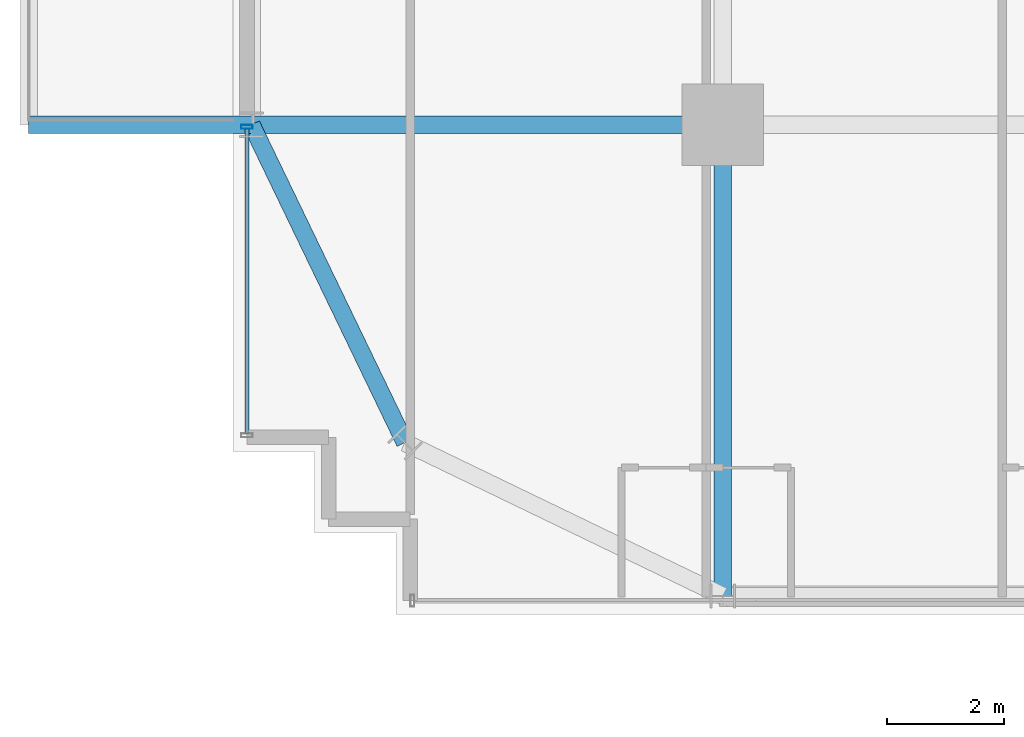
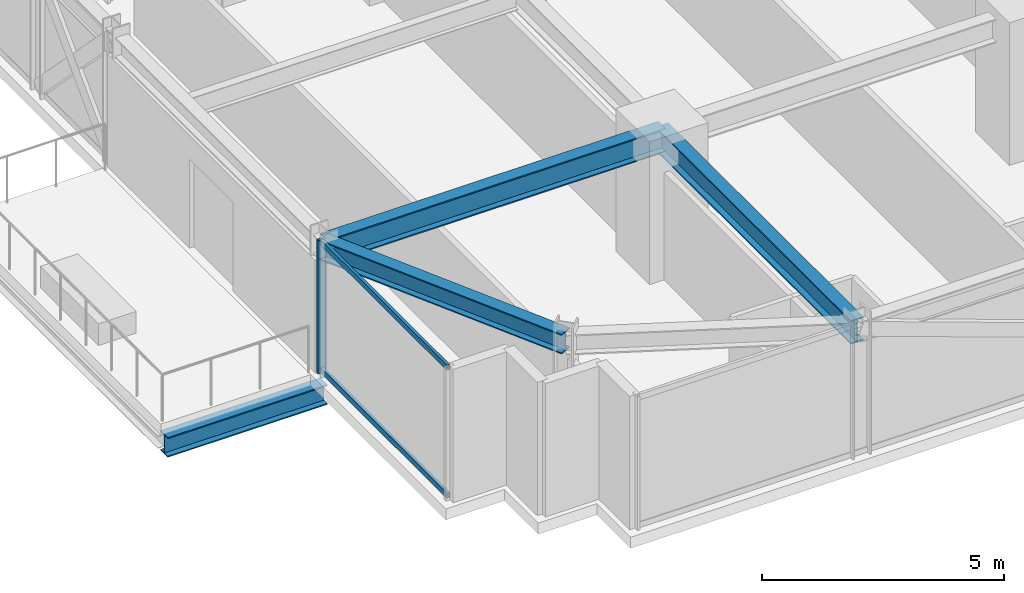
# One storey, part 4 of 38: 4 beams, 3 members, 1 element without a shape of its own.
"""IFC4 building model written with IfcOpenShell, lengths in metres."""

from ifc_helpers import new_model, si_unit, direction, frame, origin, origin_2d, place, context, subcontext, project, spatial, hollow_rectangle, i_section, extrude, source, transform, mapped, material, material_profile, profile_set, type_object, element, aggregate, save


model = new_model("IFC4")

# Units and contexts
model_context = context("Model", 3, precision=1e-05, world=origin(), true_north=direction((0.0, 1.0)))
body_context = subcontext(model_context, "Body", "Model", "MODEL_VIEW")
ifc_project = project(units=[si_unit("LENGTHUNIT", "METRE"), si_unit("AREAUNIT", "SQUARE_METRE"), si_unit("VOLUMEUNIT", "CUBIC_METRE"), si_unit("PLANEANGLEUNIT", "RADIAN"), si_unit("MASSUNIT", "GRAM", prefix="KILO")], contexts=[model_context])

# Site, building, storey
site_placement = place(None, origin())
site = spatial("IfcSite", under=ifc_project, at=site_placement, CompositionType="ELEMENT")
building_placement = place(site_placement, origin())
building = spatial("IfcBuilding", under=site, at=building_placement, Name="Nahalor Promenade Grand Hotel", CompositionType="ELEMENT")
storey_placement = place(building_placement, frame((0.0, 0.0, 50.64990234375)))
storey = spatial("IfcBuildingStorey", under=building, at=storey_placement, Name="L11", CompositionType="ELEMENT", Elevation=50.64990234375)

# Beams
ifc_material_1 = material(Name="Steel S355JR", Category="steel")
ifc_material_profile_1 = material_profile(ifc_material_1, i_section(OverallWidth=0.3, OverallDepth=0.5, WebThickness=0.0145, FlangeThickness=0.028, at=origin_2d()), Name="HEB 500")
ifc_profile_set_1 = profile_set([ifc_material_profile_1], Name="Steel S355JR")
beam_type_1 = type_object("IfcBeamType", Name="Beam-Outrigger-HEB500", PredefinedType="BEAM", material=ifc_profile_set_1)
shared_shape_1 = source(origin(), body_context, "Body", "SweptSolid", [
    extrude(i_section(OverallWidth=0.3, OverallDepth=0.5, WebThickness=0.0145, FlangeThickness=0.028, at=origin_2d()), origin(), (0.0, 0.0, 1.0), 3.81982421875),
])
beam_1_placement = place(storey_placement, frame((-28.89990234375, -17.0, -0.52978515625), z_axis=(1.0, 0.0, 0.0), x_axis=(0.0, 1.0, 0.0)))
element("IfcBeam", 1, at=beam_1_placement, inside=storey, type_object=beam_type_1, Name="BM-L11-BC-02-1", PredefinedType="BEAM", context=body_context, shape_type="MappedRepresentation", body=[
    mapped(shared_shape_1, transform((0.0, 0.0, 0.0), scale=1.0)),
])
ifc_material_profile_2 = material_profile(ifc_material_1, i_section(OverallWidth=0.3, OverallDepth=0.6, WebThickness=0.0155, FlangeThickness=0.03, at=origin_2d()), Name="HEB 600")
ifc_profile_set_2 = profile_set([ifc_material_profile_2], Name="Steel S355JR")
beam_type_2 = type_object("IfcBeamType", Name="Beam-Girder-HEB600", PredefinedType="BEAM", material=ifc_profile_set_2)
shared_shape_2 = source(origin(), body_context, "Body", "SweptSolid", [
    extrude(i_section(OverallWidth=0.3, OverallDepth=0.6, WebThickness=0.0155, FlangeThickness=0.03, at=origin_2d()), origin(), (0.0, 0.0, 1.0), 8.080078125),
])
for number, where, z_axis, x_axis, name in (
    (2, (-25.080078125, -17.0, 3.070068359375), (1.0, 0.0, 0.0), (0.0, 1.0, 0.0), "BM-L11-GX-0-0"),
    (3, (-17.0, -25.080078125, 3.070068359375), (0.0, 1.0, 0.0), (-1.0, 0.0, 0.0), "BM-L11-GY-0-0"),
):
    element("IfcBeam", number, at=place(storey_placement, frame(where, z_axis=z_axis, x_axis=x_axis)), inside=storey, type_object=beam_type_2, Name=name, PredefinedType="BEAM", context=body_context, shape_type="MappedRepresentation", body=[
        mapped(shared_shape_2, transform((0.0, 0.0, 0.0), scale=1.0)),
    ])
ifc_material_profile_3 = material_profile(ifc_material_1, i_section(OverallWidth=0.3, OverallDepth=0.5, WebThickness=0.0145, FlangeThickness=0.028, at=origin_2d()), Name="HEB 500")
ifc_profile_set_3 = profile_set([ifc_material_profile_3], Name="Steel S355JR")
beam_type_3 = type_object("IfcBeamType", Name="Beam-Spandrel-HEB500", PredefinedType="SPANDREL", material=ifc_profile_set_3)
shared_shape_3 = source(origin(), body_context, "Body", "SweptSolid", [
    extrude(i_section(OverallWidth=0.3, OverallDepth=0.5, WebThickness=0.0145, FlangeThickness=0.028, at=origin_2d()), origin(), (0.0, 0.0, 1.0), 6.051513671875),
])
beam_2_placement = place(storey_placement, frame((-22.449951171875, -22.449951171875, 3.1201171875), z_axis=(-0.434630596492, 0.900608818852, 0.0), x_axis=(-0.900608818852, -0.434630596492, 0.0)))
element("IfcBeam", 4, at=beam_2_placement, inside=storey, type_object=beam_type_3, Name="BM-L11-SPC-SW-2", PredefinedType="SPANDREL", context=body_context, shape_type="MappedRepresentation", body=[
    mapped(shared_shape_3, transform((0.0, 0.0, 0.0), scale=1.0)),
])

# Curtain wall, members
ifc_material_2 = material(Name="Anodised Bronze Aluminium EN AW-6063 T6", Category="aluminium")
curtain_wall_type = type_object("IfcCurtainWallType", Name="CW3 Elliptical-Void Collar Unitised Curtain Wall", PredefinedType="USERDEFINED", material=ifc_material_2)
curtain_wall_placement = place(storey_placement, origin())
curtain_wall = element("IfcCurtainWall", 5, at=curtain_wall_placement, inside=storey, type_object=curtain_wall_type, Name="L11 Curtain Wall CW-L11-W-1", ObjectType="UNITISED_CURTAIN_WALL", PredefinedType="USERDEFINED")
ifc_material_profile_4 = material_profile(ifc_material_2, hollow_rectangle(XDim=0.07, YDim=0.14, WallThickness=0.004, at=origin_2d()), Name="CWT 70x140x4")
ifc_profile_set_4 = profile_set([ifc_material_profile_4], Name="Anodised Bronze Aluminium EN AW-6063 T6")
member_type_1 = type_object("IfcMemberType", Name="CWT3 Void Collar Transom 70x140", PredefinedType="USERDEFINED", material=ifc_profile_set_4)
shared_shape_4 = source(origin(), body_context, "Body", "SweptSolid", [
    extrude(hollow_rectangle(XDim=0.07, YDim=0.14, WallThickness=0.004, at=origin_2d()), origin(), (0.0, 0.0, 1.0), 5.219970703125),
])
member_1_placement = place(storey_placement, frame((-25.159912109375, -22.2900390625, 0.070068359375), z_axis=(0.0, 1.0, 0.0), x_axis=(-1.0, 0.0, 0.0)))
member_1 = element("IfcMember", 6, at=member_1_placement, type_object=member_type_1, Name="CW-L11-W-1 Transom 0-0", ObjectType="TRANSOM", PredefinedType="USERDEFINED", context=body_context, shape_type="MappedRepresentation", body=[
    mapped(shared_shape_4, transform((0.0, 0.0, 0.0), scale=1.0)),
])
member_2_placement = place(storey_placement, frame((-25.159912109375, -22.2900390625, 3.300048828125), z_axis=(0.0, 1.0, 0.0), x_axis=(-1.0, 0.0, 0.0)))
member_2 = element("IfcMember", 7, at=member_2_placement, type_object=member_type_1, Name="CW-L11-W-1 Transom 0-1", ObjectType="TRANSOM", PredefinedType="USERDEFINED", context=body_context, shape_type="MappedRepresentation", body=[
    mapped(shared_shape_4, transform((0.0, 0.0, 0.0), scale=1.0)),
])
ifc_material_profile_5 = material_profile(ifc_material_2, hollow_rectangle(XDim=0.07, YDim=0.2, WallThickness=0.005, at=origin_2d()), Name="CWM 70x200x5")
ifc_profile_set_5 = profile_set([ifc_material_profile_5], Name="Anodised Bronze Aluminium EN AW-6063 T6")
member_type_2 = type_object("IfcMemberType", Name="CWM3 Void Collar Mullion 70x200", PredefinedType="MULLION", material=ifc_profile_set_5)
shared_shape_5 = source(origin(), body_context, "Body", "SweptSolid", [
    extrude(hollow_rectangle(XDim=0.07, YDim=0.2, WallThickness=0.005, at=origin_2d()), origin(), (0.0, 0.0, 1.0), 3.3701171875),
])
member_3_placement = place(storey_placement, frame((-25.159912109375, -17.034912109375, 0.0), z_axis=(0.0, 0.0, 1.0), x_axis=(0.0, 1.0, 0.0)))
member_3 = element("IfcMember", 8, at=member_3_placement, type_object=member_type_2, Name="CW-L11-W-1 Mullion 1", PredefinedType="MULLION", context=body_context, shape_type="MappedRepresentation", body=[
    mapped(shared_shape_5, transform((0.0, 0.0, 0.0), scale=1.0)),
])
aggregate(curtain_wall, [member_3, member_1, member_2])

save(model, "model.ifc")
